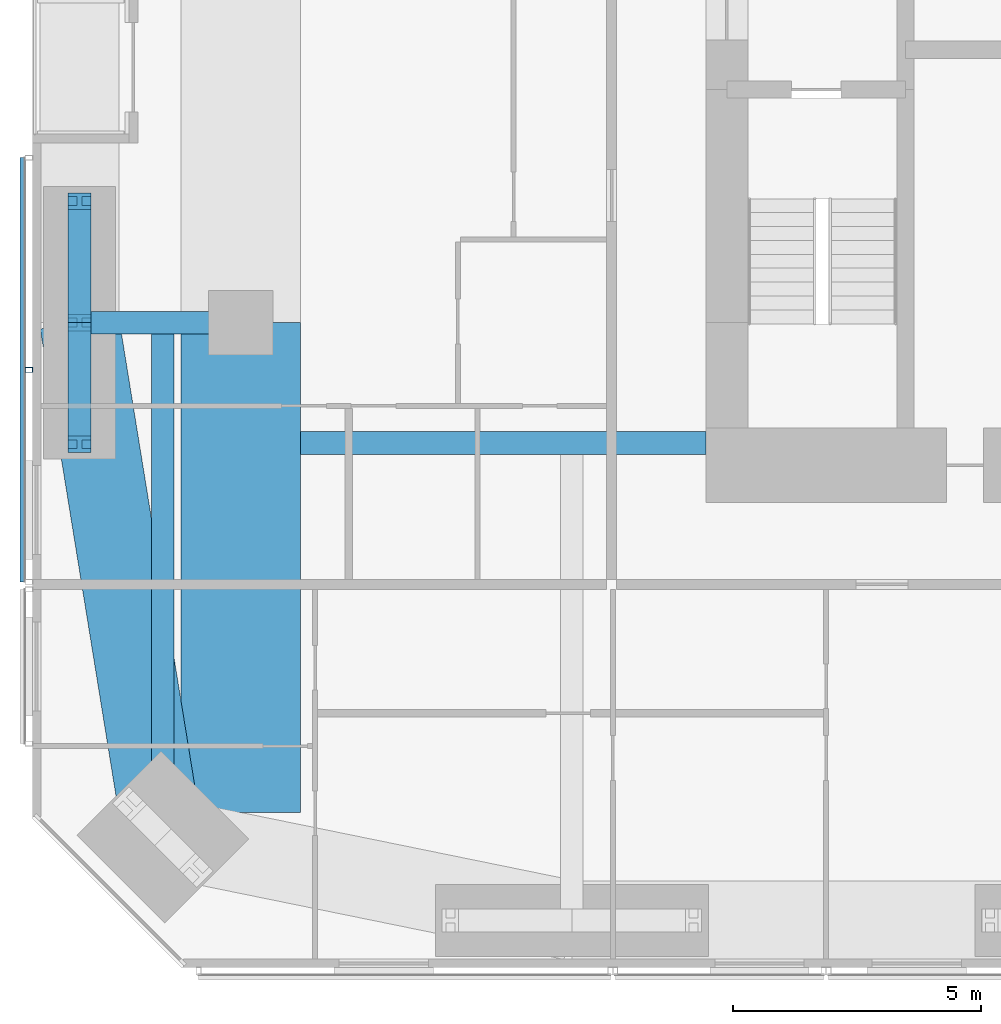
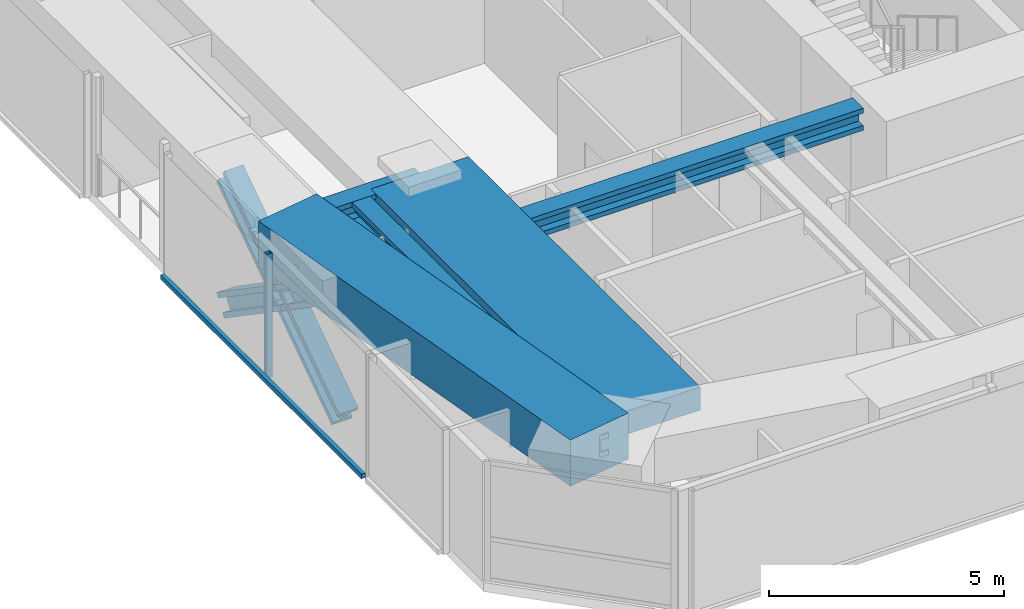
# One storey, part 3 of 24: 6 members, 5 beams, 1 element without a shape of its own.
"""IFC4 building model written with IfcOpenShell, lengths in metres."""

from ifc_helpers import new_model, si_unit, direction, frame, origin, origin_2d, place, context, subcontext, project, spatial, rectangle, hollow_rectangle, i_section, extrude, material, material_profile, profile_set, type_object, element, aggregate, save


model = new_model("IFC4")

# Units and contexts
model_context = context("Model", 3, precision=1e-05, world=origin(), true_north=direction((0.0, 1.0)))
body_context = subcontext(model_context, "Body", "Model", "MODEL_VIEW")
ifc_project = project(units=[si_unit("LENGTHUNIT", "METRE"), si_unit("AREAUNIT", "SQUARE_METRE"), si_unit("VOLUMEUNIT", "CUBIC_METRE"), si_unit("PLANEANGLEUNIT", "RADIAN"), si_unit("MASSUNIT", "GRAM", prefix="KILO")], contexts=[model_context])

# Site, building, storey
site_placement = place(None, origin())
site = spatial("IfcSite", under=ifc_project, at=site_placement, CompositionType="ELEMENT")
building_placement = place(site_placement, origin())
building = spatial("IfcBuilding", under=site, at=building_placement, Name="Jalousie Tower", CompositionType="ELEMENT")
storey_placement = place(building_placement, frame((0.0, 0.0, 135.0)))
storey = spatial("IfcBuildingStorey", under=building, at=storey_placement, Name="L37", CompositionType="ELEMENT", Elevation=135.0)

# Beams
ifc_material_1 = material(Name="Steel ASTM A992 Grade 50", Category="steel")
ifc_material_profile_1 = material_profile(ifc_material_1, i_section(OverallWidth=0.45458984375, OverallDepth=0.569091796875, WebThickness=0.077880859375, FlangeThickness=0.124755859375, at=origin_2d()), Name="W14X730")
ifc_profile_set_1 = profile_set([ifc_material_profile_1], Name="Steel ASTM A992 Grade 50")
beam_type_1 = type_object("IfcBeamType", Name="LEAN COLLECTOR W14X730", PredefinedType="BEAM", material=ifc_profile_set_1)
beam_1_placement = place(storey_placement, frame((6.949951171875, 13.0, 2.825439453125), z_axis=(1.0, 0.0, 0.0), x_axis=(0.0, 1.0, 0.0)))
element("IfcBeam", 1, at=beam_1_placement, inside=storey, type_object=beam_type_1, Name="Lean collector under L38", PredefinedType="BEAM", context=body_context, shape_type="SweptSolid", body=[
    extrude(i_section(OverallWidth=0.45458984375, OverallDepth=0.569091796875, WebThickness=0.077880859375, FlangeThickness=0.124755859375, at=origin_2d()), origin(), (0.0, 0.0, 1.0), 3.25),
])
beam_2_placement = place(storey_placement, frame((11.39990234375, 10.574951171875, 2.825439453125), z_axis=(1.0, 0.0, 0.0), x_axis=(0.0, 1.0, 0.0)))
element("IfcBeam", 2, at=beam_2_placement, inside=storey, type_object=beam_type_1, Name="Lean collector under L38", PredefinedType="BEAM", context=body_context, shape_type="SweptSolid", body=[
    extrude(i_section(OverallWidth=0.45458984375, OverallDepth=0.569091796875, WebThickness=0.077880859375, FlangeThickness=0.124755859375, at=origin_2d()), origin(), (0.0, 0.0, 1.0), 8.175048828125),
])
beam_3_placement = place(storey_placement, frame((8.63134765625, 2.63134765625, 2.825439453125), z_axis=(0.0, 1.0, 0.0), x_axis=(-1.0, 0.0, 0.0)))
element("IfcBeam", 3, at=beam_3_placement, inside=storey, type_object=beam_type_1, Name="Lean collector under L38", PredefinedType="BEAM", context=body_context, shape_type="SweptSolid", body=[
    extrude(i_section(OverallWidth=0.45458984375, OverallDepth=0.569091796875, WebThickness=0.077880859375, FlangeThickness=0.124755859375, at=origin_2d()), origin(), (0.0, 0.0, 1.0), 10.36865234375),
])

# Members
ifc_material_2 = material(Name="Steel ASTM A992 Grade 50", Category="steel")
ifc_material_profile_2 = material_profile(ifc_material_2, i_section(OverallWidth=0.472412109375, OverallDepth=0.5791015625, WebThickness=0.094970703125, FlangeThickness=0.1298828125, at=origin_2d()), Name="W14X808")
ifc_profile_set_2 = profile_set([ifc_material_profile_2], Name="Steel ASTM A992 Grade 50")
member_type_1 = type_object("IfcMemberType", Name="PERIMETER BRACE W14X808", PredefinedType="BRACE", material=ifc_profile_set_2)
for number, where, z_axis, x_axis, name in (
    (4, (6.949951171875, 10.550048828125, -0.60009765625), (0.0, 0.825500916831, 0.564400776321), (-1.0, 0.0, 0.0), "Perimeter brace 14 L37 part 1"),
    (5, (6.949951171875, 13.0, 1.074951171875), (0.0, 0.825500916831, 0.564400776321), (-1.0, 0.0, 0.0), "Perimeter brace 14 L37 part 2"),
    (6, (6.949951171875, 15.449951171875, -0.60009765625), (0.0, -0.825500916831, 0.564400776321), (1.0, 0.0, 0.0), "Perimeter brace 14 L37 part 3"),
    (7, (6.949951171875, 13.0, 1.074951171875), (0.0, -0.825500916831, 0.564400776321), (1.0, 0.0, 0.0), "Perimeter brace 14 L37 part 4"),
):
    element("IfcMember", number, at=place(storey_placement, frame(where, z_axis=z_axis, x_axis=x_axis)), inside=storey, type_object=member_type_1, Name=name, PredefinedType="BRACE", context=body_context, shape_type="SweptSolid", body=[
        extrude(i_section(OverallWidth=0.472412109375, OverallDepth=0.5791015625, WebThickness=0.094970703125, FlangeThickness=0.1298828125, at=origin_2d()), origin(), (0.0, 0.0, 1.0), 2.9677734375),
    ])

# Beams
ifc_material_3 = material(Name="Concrete f'c 40 MPa", Category="concrete")
ifc_material_profile_3 = material_profile(ifc_material_3, rectangle(XDim=1.60009765625, YDim=1.199951171875, at=origin_2d()), Name="RC 1600x1200")
ifc_profile_set_3 = profile_set([ifc_material_profile_3], Name="Concrete f'c 40 MPa")
beam_type_2 = type_object("IfcBeamType", Name="RC BEAM 1600x1200", PredefinedType="BEAM", material=ifc_profile_set_3)
beam_4_placement = place(storey_placement, frame((6.949951171875, 13.0, 2.75), z_axis=(0.160070546476, -0.987105577003, 0.0), x_axis=(0.987105577003, 0.160070546476, 0.0)))
element("IfcBeam", 8, at=beam_4_placement, inside=storey, type_object=beam_type_2, Name="Edge band beam 14-01 under L38", PredefinedType="BEAM", context=body_context, shape_type="SweptSolid", body=[
    extrude(rectangle(XDim=1.60009765625, YDim=1.199951171875, at=origin_2d()), origin(), (0.0, 0.0, 1.0), 10.504150390625),
])
ifc_material_4 = material(Name="Concrete f'c 40 MPa", Category="concrete")
ifc_material_profile_4 = material_profile(ifc_material_4, rectangle(XDim=2.39990234375, YDim=0.60009765625, at=origin_2d()), Name="RC 2400x600")
ifc_profile_set_4 = profile_set([ifc_material_profile_4], Name="Concrete f'c 40 MPa")
beam_type_3 = type_object("IfcBeamType", Name="RC BEAM 2400x600", PredefinedType="BEAM", material=ifc_profile_set_4)
beam_5_placement = place(storey_placement, frame((10.199951171875, 13.0, 2.81005859375), z_axis=(0.0, -1.0, 0.0), x_axis=(1.0, 0.0, 0.0)))
element("IfcBeam", 9, at=beam_5_placement, inside=storey, type_object=beam_type_3, Name="Floor band beam under L38", PredefinedType="BEAM", context=body_context, shape_type="SweptSolid", body=[
    extrude(rectangle(XDim=2.39990234375, YDim=0.60009765625, at=origin_2d()), origin(), (0.0, 0.0, 1.0), 9.8720703125),
])

# Curtain wall, members
ifc_material_5 = material(Name="Perforated aluminium sheet", Category="aluminium")
curtain_wall_type = type_object("IfcCurtainWallType", Name="SOLAR SCREEN SS-1", PredefinedType="USERDEFINED", material=ifc_material_5)
curtain_wall_placement = place(storey_placement, origin())
curtain_wall = element("IfcCurtainWall", 10, at=curtain_wall_placement, inside=storey, type_object=curtain_wall_type, Name="Solar screen L37", ObjectType="SOLAR SCREEN SS-1", PredefinedType="USERDEFINED")
ifc_material_6 = material(Name="Steel ASTM A500 Grade C", Category="steel")
ifc_material_profile_5 = material_profile(ifc_material_6, hollow_rectangle(XDim=0.1015625, YDim=0.15234375, WallThickness=0.00634765625, at=origin_2d()), Name="HSS6X4X1/4")
ifc_profile_set_5 = profile_set([ifc_material_profile_5], Name="Steel ASTM A500 Grade C")
member_type_2 = type_object("IfcMemberType", Name="SOLAR SCREEN SS-1 MULLION", PredefinedType="MULLION", material=ifc_profile_set_5)
member_1_placement = place(storey_placement, frame((5.9287109375, 12.050048828125, -0.1201171875), z_axis=(0.0, 0.0, 1.0), x_axis=(0.0, -1.0, 0.0)))
member_1 = element("IfcMember", 11, at=member_1_placement, type_object=member_type_2, Name="SS1 post 2", PredefinedType="MULLION", context=body_context, shape_type="SweptSolid", body=[
    extrude(hollow_rectangle(XDim=0.1015625, YDim=0.15234375, WallThickness=0.00634765625, at=origin_2d()), origin(), (0.0, 0.0, 1.0), 3.230224609375),
])
ifc_material_7 = material(Name="Extruded aluminium screen rail", Category="aluminium")
ifc_material_profile_6 = material_profile(ifc_material_7, rectangle(XDim=0.1015625, YDim=0.1201171875, at=origin_2d()), Name="RAIL 102x120")
ifc_profile_set_6 = profile_set([ifc_material_profile_6], Name="Extruded aluminium screen rail")
member_type_3 = type_object("IfcMemberType", Name="SOLAR SCREEN SS-1 TRANSOM", PredefinedType="USERDEFINED", material=ifc_profile_set_6)
member_2_placement = place(storey_placement, frame((5.8017578125, 16.324951171875, -0.06005859375), z_axis=(0.0, -1.0, 0.0), x_axis=(1.0, 0.0, 0.0)))
member_2 = element("IfcMember", 12, at=member_2_placement, type_object=member_type_3, Name="SS1 rail", ObjectType="TRANSOM", PredefinedType="USERDEFINED", context=body_context, shape_type="SweptSolid", body=[
    extrude(rectangle(XDim=0.1015625, YDim=0.1201171875, at=origin_2d()), origin(), (0.0, 0.0, 1.0), 8.550048828125),
])
aggregate(curtain_wall, [member_1, member_2])

save(model, "model.ifc")
